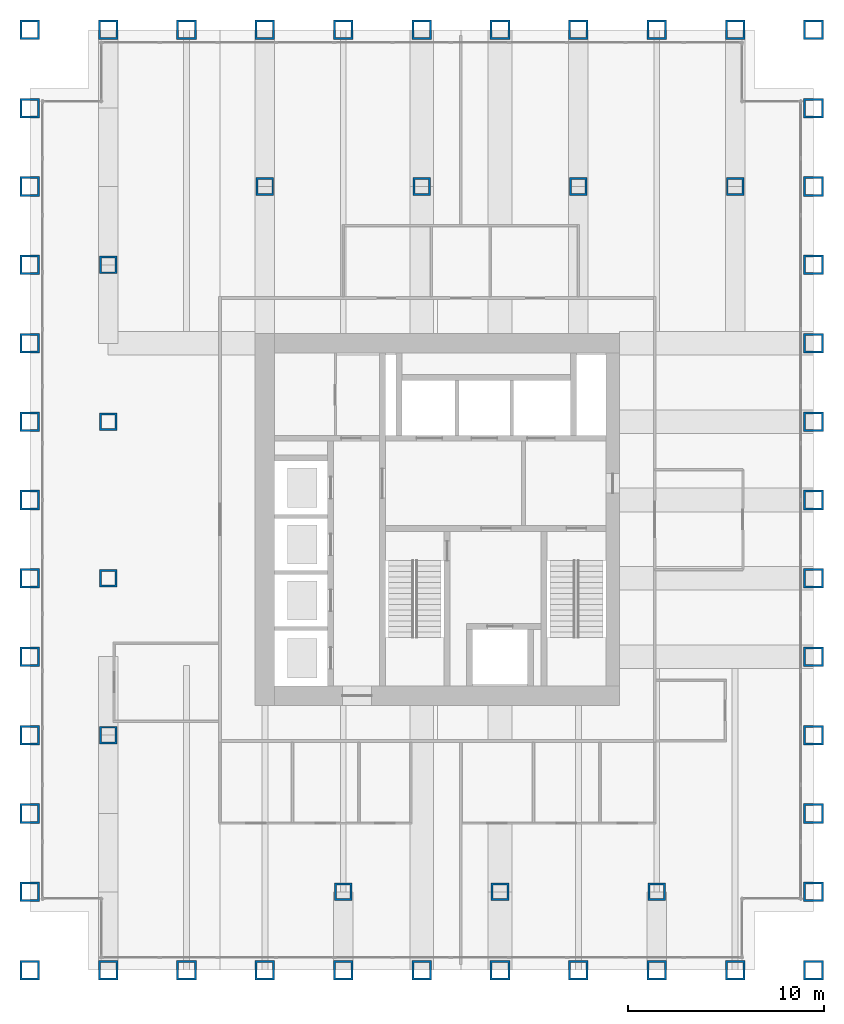
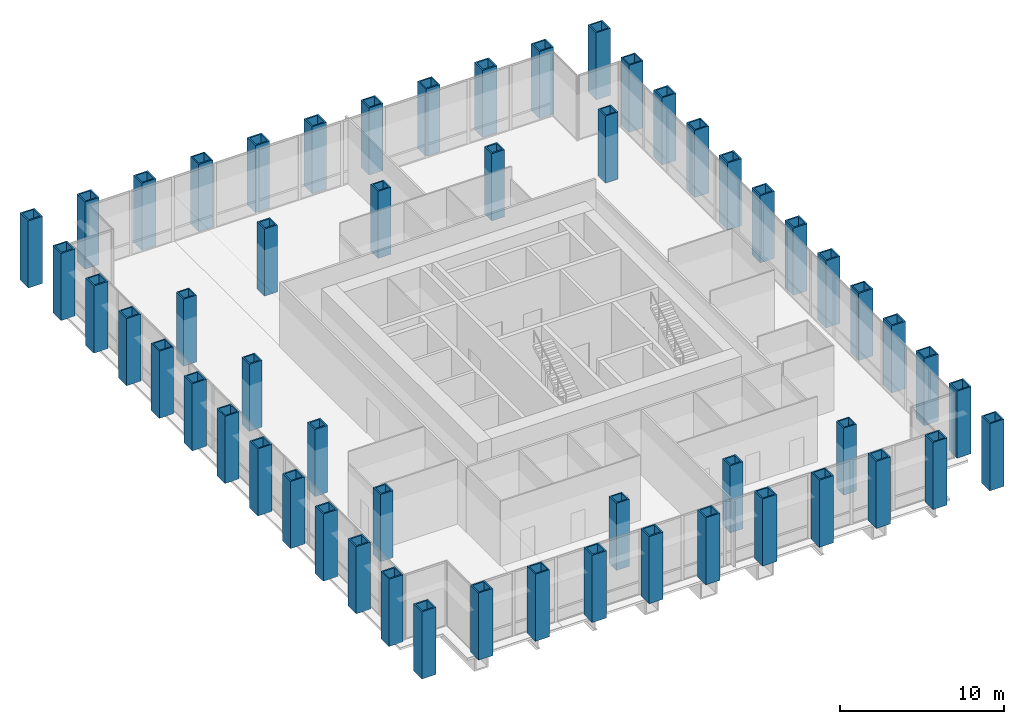
# One storey, part 1 of 13: 55 columns.
"""IFC4 building model written with IfcOpenShell, lengths in metres."""

import ifcopenshell
import ifcopenshell.guid

model = None  # the IFC model being written
_history = None  # IfcOwnerHistory: only IFC2X3 demands one
_inside = {}  # id of a spatial element -> (the spatial element, [elements in it])
_under = {}  # id of a project, library or spatial element -> (it, [spatial elements below it])
_declared = {}  # id of a project -> (the project, [libraries it declares])
_typed = {}  # id of a type object -> (the type object, [elements of that type])
_made_of = {}  # id of a material, layer set ... -> (it, [elements and type objects made of it])


def new_model(schema):
    """Start an empty IFC model of exactly this schema.

    Asked for "IFC4X3", IfcOpenShell would pick the latest addendum, in which some entities
    have other attributes; the version numbers below select the first issue.
    IFC2X3 requires an IfcOwnerHistory on every rooted entity: one is made here for all.
    """
    global model, _history
    if schema == "IFC4X3":
        model = ifcopenshell.file(schema_version=(4, 3, 0, 0))
    else:
        model = ifcopenshell.file(schema=schema)
    _inside.clear()
    _under.clear()
    _declared.clear()
    _typed.clear()
    _made_of.clear()
    _history = None
    if model.schema == "IFC2X3":
        org = make("IfcOrganization", Name="unknown")
        user = make(
            "IfcPersonAndOrganization",
            ThePerson=make("IfcPerson", FamilyName="unknown"),
            TheOrganization=org,
        )
        app = make(
            "IfcApplication",
            ApplicationDeveloper=org,
            Version="unknown",
            ApplicationFullName="unknown",
            ApplicationIdentifier="unknown",
        )
        _history = make(
            "IfcOwnerHistory",
            OwningUser=user,
            OwningApplication=app,
            ChangeAction="ADDED",
            CreationDate=0,
        )
    return model


def make(cls, **values):
    """One entity of the class cls with the attributes given. An attribute that is None is left unset."""
    return model.create_entity(
        cls, **{name: value for name, value in values.items() if value is not None}
    )


def rooted(cls, **values):
    """An entity with a GlobalId (a new one), such as an element, a storey or a relation."""
    return make(cls, GlobalId=ifcopenshell.guid.new(), OwnerHistory=_history, **values)


def si_unit(unit_type, name, prefix=None):
    """IfcSIUnit, for example si_unit("LENGTHUNIT", "METRE", prefix="MILLI")."""
    return make("IfcSIUnit", UnitType=unit_type, Prefix=prefix, Name=name)


def assignment(units):
    """IfcUnitAssignment: the units of a project."""
    return None if units is None else make("IfcUnitAssignment", Units=units)


def point(xyz):
    """IfcCartesianPoint."""
    return None if xyz is None else make("IfcCartesianPoint", Coordinates=xyz)


def direction(xyz):
    """IfcDirection."""
    return None if xyz is None else make("IfcDirection", DirectionRatios=xyz)


def frame(location, z_axis=None, x_axis=None):
    """IfcAxis2Placement3D, a coordinate frame: its origin and axes. An axis left out is left unset."""
    return make(
        "IfcAxis2Placement3D",
        Location=point(location),
        Axis=direction(z_axis),
        RefDirection=direction(x_axis),
    )


def frame_2d(location, x_axis=None):
    """IfcAxis2Placement2D, a coordinate frame in the plane: its origin and x axis."""
    return make(
        "IfcAxis2Placement2D", Location=point(location), RefDirection=direction(x_axis)
    )


def origin():
    """The frame at (0, 0, 0) with its axes left unset."""
    return frame((0.0, 0.0, 0.0))


def origin_2d():
    """The frame at (0, 0) in the plane with its x axis left unset."""
    return frame_2d((0.0, 0.0))


def place(relative_to, where):
    """IfcLocalPlacement: puts the frame where relative to a parent placement (None: the world)."""
    return make(
        "IfcLocalPlacement", PlacementRelTo=relative_to, RelativePlacement=where
    )


def context(
    kind, dimensions, precision=None, world=None, true_north=None, identifier=None
):
    """IfcGeometricRepresentationContext, for example the 3D "Model" context."""
    return make(
        "IfcGeometricRepresentationContext",
        ContextIdentifier=identifier,
        ContextType=kind,
        CoordinateSpaceDimension=dimensions,
        Precision=precision,
        WorldCoordinateSystem=world,
        TrueNorth=true_north,
    )


def subcontext(parent, identifier, kind, view, scale=None):
    """IfcGeometricRepresentationSubContext, for example "Body" below "Model"."""
    return make(
        "IfcGeometricRepresentationSubContext",
        ContextIdentifier=identifier,
        ContextType=kind,
        ParentContext=parent,
        TargetScale=scale,
        TargetView=view,
    )


def project(units=None, contexts=None):
    """IfcProject with its units and contexts."""
    return rooted(
        "IfcProject",
        Name="project",
        RepresentationContexts=contexts,
        UnitsInContext=assignment(units),
    )


def spatial(cls, under=None, at=None, **own):
    """A site, building, storey or space (cls), placed at a placement, below another one or the project."""
    s = rooted(cls, ObjectPlacement=at, **own)
    if under is not None:
        _under.setdefault(under.id(), (under, []))[1].append(s)
    return s


def profile(cls, at=None, kind="AREA", **sizes):
    """A parametric profile (cls). Its sizes go by their IFC names, for example OverallWidth=200.0."""
    return make(cls, ProfileType=kind, Position=at, **sizes)


def hollow_rectangle(**sizes):
    """IfcRectangleHollowProfileDef."""
    return profile("IfcRectangleHollowProfileDef", **sizes)


def extrude(swept, where, along, depth):
    """IfcExtrudedAreaSolid: the profile swept, set in the frame where, extruded along a direction by depth."""
    return make(
        "IfcExtrudedAreaSolid",
        SweptArea=swept,
        Position=where,
        ExtrudedDirection=direction(along),
        Depth=depth,
    )


def shape(context_of_items, identifier, shape_type, items):
    """IfcShapeRepresentation: the items that make up one representation, for example the "Body"."""
    return make(
        "IfcShapeRepresentation",
        ContextOfItems=context_of_items,
        RepresentationIdentifier=identifier,
        RepresentationType=shape_type,
        Items=items,
    )


def material(Name=None, Category=None):
    """IfcMaterial."""
    return make("IfcMaterial", Name=Name, Category=Category)


def material_profile(
    of_material, cross_section, Name=None, Category=None, Priority=None
):
    """IfcMaterialProfile: a cross section and its material."""
    return make(
        "IfcMaterialProfile",
        Name=Name,
        Material=of_material,
        Profile=cross_section,
        Priority=Priority,
        Category=Category,
    )


def profile_set(profiles, Name=None, composite=None):
    """IfcMaterialProfileSet."""
    return make(
        "IfcMaterialProfileSet",
        Name=Name,
        MaterialProfiles=profiles,
        CompositeProfile=composite,
    )


def made_of(thing, what):
    """Note that an element or type object is made of a material, layer set ...; save() writes the relation."""
    if what is not None:
        _made_of.setdefault(what.id(), (what, []))[1].append(thing)
    return thing


def type_object(cls, material=None, **own):
    """A type object (cls), such as IfcWallType, which elements share."""
    return made_of(rooted(cls, **own), material)


def element(
    cls,
    number,
    at=None,
    inside=None,
    cuts=None,
    type_object=None,
    material=None,
    context=None,
    identifier="Body",
    shape_type=None,
    held_by="IfcProductDefinitionShape",
    body=None,
    shapes=None,
    **own,
):
    """One element of the class cls, such as IfcWall. Its Tag is "e" and its number.

    at: its placement. inside: the storey or other place that contains it. cuts: it is an
    opening in that element (IfcRelVoidsElement). A single representation is given by context,
    identifier, shape_type and body (its items); several are given by shapes. held_by: the class
    of the entity that holds the representations. save() writes the other relations.
    """
    e = rooted(cls, Tag="e%d" % number, ObjectPlacement=at, **own)
    if body is not None:
        shapes = [shape(context, identifier, shape_type, body)]
    if shapes is not None:
        e.Representation = make(held_by, Representations=shapes)
    if inside is not None:
        _inside.setdefault(inside.id(), (inside, []))[1].append(e)
    if cuts is not None:
        rooted(
            "IfcRelVoidsElement", RelatingBuildingElement=cuts, RelatedOpeningElement=e
        )
    if type_object is not None:
        _typed.setdefault(type_object.id(), (type_object, []))[1].append(e)
    return made_of(e, material)


def aggregate(whole, parts):
    """IfcRelAggregates: a whole, such as a stair, and the parts it consists of."""
    return rooted("IfcRelAggregates", RelatingObject=whole, RelatedObjects=parts)


def save(model, path):
    """Write the relations noted so far, then the file.

    IfcRelAggregates (storeys below a building ...), IfcRelContainedInSpatialStructure (elements
    in a storey), IfcRelDefinesByType, IfcRelAssociatesMaterial and IfcRelDeclares: one each for
    every whole, place, type object, material and project.
    """
    for whole, parts in _under.values():
        aggregate(whole, parts)
    for where, things in _inside.values():
        rooted(
            "IfcRelContainedInSpatialStructure",
            RelatedElements=things,
            RelatingStructure=where,
        )
    for kind, things in _typed.values():
        rooted("IfcRelDefinesByType", RelatedObjects=things, RelatingType=kind)
    for what, things in _made_of.values():
        rooted("IfcRelAssociatesMaterial", RelatedObjects=things, RelatingMaterial=what)
    for by, libraries in _declared.values():
        rooted("IfcRelDeclares", RelatingContext=by, RelatedDefinitions=libraries)
    model.write(path)


model = new_model("IFC4")

# Units and contexts
model_context = context("Model", 3, precision=1e-05, world=origin(), true_north=direction((0.0, 1.0)))
body_context = subcontext(model_context, "Body", "Model", "MODEL_VIEW")
ifc_project = project(units=[si_unit("LENGTHUNIT", "METRE"), si_unit("AREAUNIT", "SQUARE_METRE"), si_unit("VOLUMEUNIT", "CUBIC_METRE"), si_unit("PLANEANGLEUNIT", "RADIAN"), si_unit("MASSUNIT", "GRAM", prefix="KILO")], contexts=[model_context])

# Site, building, storey
site_placement = place(None, origin())
site = spatial("IfcSite", under=ifc_project, at=site_placement, CompositionType="ELEMENT")
building_placement = place(site_placement, origin())
building = spatial("IfcBuilding", under=site, at=building_placement, Name="Rimbunsela Tower", CompositionType="ELEMENT")
storey_placement = place(building_placement, frame((0.0, 0.0, 142.800048828125)))
storey = spatial("IfcBuildingStorey", under=building, at=storey_placement, Name="L34", CompositionType="ELEMENT", Elevation=142.800048828125)

# Columns
ifc_material_1 = material(Name="Steel BJ 55 (fy 410 MPa)", Category="steel")
ifc_material_profile_1 = material_profile(ifc_material_1, hollow_rectangle(XDim=1.0, YDim=1.0, WallThickness=0.10009765625, at=origin_2d()), Name="BOX 1000x1000x100")
ifc_profile_set_1 = profile_set([ifc_material_profile_1], Name="Steel BJ 55 (fy 410 MPa)")
column_type_1 = type_object("IfcColumnType", Name="Column BOX 1000x1000x100", PredefinedType="COLUMN", material=ifc_profile_set_1)
for number, where, z_axis, x_axis, name in (
    (1, (6.0, 4.0, 0.0), (0.0, 0.0, 1.0), (1.0, 0.0, 0.0), "Column C1 4/C L34"),
    (2, (6.0, 8.0, 0.0), (0.0, 0.0, 1.0), (1.0, 0.0, 0.0), "Column C1 4/D L34"),
    (3, (6.0, 12.0, 0.0), (0.0, 0.0, 1.0), (1.0, 0.0, 0.0), "Column C1 4/E L34"),
    (4, (6.0, 16.0, 0.0), (0.0, 0.0, 1.0), (1.0, 0.0, 0.0), "Column C1 4/F L34"),
    (5, (6.0, 20.0, 0.0), (0.0, 0.0, 1.0), (1.0, 0.0, 0.0), "Column C1 4/G L34"),
    (6, (6.0, 24.0, 0.0), (0.0, 0.0, 1.0), (1.0, 0.0, 0.0), "Column C1 4/H L34"),
    (7, (6.0, 28.0, 0.0), (0.0, 0.0, 1.0), (1.0, 0.0, 0.0), "Column C1 4/J L34"),
    (8, (6.0, 32.0, 0.0), (0.0, 0.0, 1.0), (1.0, 0.0, 0.0), "Column C1 4/K L34"),
    (9, (6.0, 36.0, 0.0), (0.0, 0.0, 1.0), (1.0, 0.0, 0.0), "Column C1 4/L L34"),
    (10, (6.0, 40.0, 0.0), (0.0, 0.0, 1.0), (1.0, 0.0, 0.0), "Column C1 4/M L34"),
    (11, (6.0, 44.0, 0.0), (0.0, 0.0, 1.0), (1.0, 0.0, 0.0), "Column C1 4/N L34"),
    (12, (6.0, 48.0, 0.0), (0.0, 0.0, 1.0), (1.0, 0.0, 0.0), "Column C1 4/P L34"),
    (13, (6.0, 52.0, 0.0), (0.0, 0.0, 1.0), (1.0, 0.0, 0.0), "Column C1 4/Q L34"),
    (14, (10.0, 4.0, 0.0), (0.0, 0.0, 1.0), (1.0, 0.0, 0.0), "Column C1 5/C L34"),
    (15, (10.0, 52.0, 0.0), (0.0, 0.0, 1.0), (1.0, 0.0, 0.0), "Column C1 5/Q L34"),
    (16, (14.0, 4.0, 0.0), (0.0, 0.0, 1.0), (1.0, 0.0, 0.0), "Column C1 6/C L34"),
    (17, (14.0, 52.0, 0.0), (0.0, 0.0, 1.0), (1.0, 0.0, 0.0), "Column C1 6/Q L34"),
    (18, (18.0, 4.0, 0.0), (0.0, 0.0, 1.0), (1.0, 0.0, 0.0), "Column C1 7/C L34"),
    (19, (18.0, 52.0, 0.0), (0.0, 0.0, 1.0), (1.0, 0.0, 0.0), "Column C1 7/Q L34"),
    (20, (22.0, 4.0, 0.0), (0.0, 0.0, 1.0), (1.0, 0.0, 0.0), "Column C1 8/C L34"),
    (21, (22.0, 52.0, 0.0), (0.0, 0.0, 1.0), (1.0, 0.0, 0.0), "Column C1 8/Q L34"),
    (22, (26.0, 4.0, 0.0), (0.0, 0.0, 1.0), (1.0, 0.0, 0.0), "Column C1 9/C L34"),
    (23, (26.0, 52.0, 0.0), (0.0, 0.0, 1.0), (1.0, 0.0, 0.0), "Column C1 9/Q L34"),
    (24, (30.0, 4.0, 0.0), (0.0, 0.0, 1.0), (1.0, 0.0, 0.0), "Column C1 10/C L34"),
    (25, (30.0, 52.0, 0.0), (0.0, 0.0, 1.0), (1.0, 0.0, 0.0), "Column C1 10/Q L34"),
    (26, (34.0, 4.0, 0.0), (0.0, 0.0, 1.0), (1.0, 0.0, 0.0), "Column C1 11/C L34"),
    (27, (34.0, 52.0, 0.0), (0.0, 0.0, 1.0), (1.0, 0.0, 0.0), "Column C1 11/Q L34"),
    (28, (38.0, 4.0, 0.0), (0.0, 0.0, 1.0), (1.0, 0.0, 0.0), "Column C1 12/C L34"),
    (29, (38.0, 52.0, 0.0), (0.0, 0.0, 1.0), (1.0, 0.0, 0.0), "Column C1 12/Q L34"),
    (30, (42.0, 4.0, 0.0), (0.0, 0.0, 1.0), (1.0, 0.0, 0.0), "Column C1 13/C L34"),
    (31, (42.0, 52.0, 0.0), (0.0, 0.0, 1.0), (1.0, 0.0, 0.0), "Column C1 13/Q L34"),
    (32, (46.0, 4.0, 0.0), (0.0, 0.0, 1.0), (1.0, 0.0, 0.0), "Column C1 14/C L34"),
    (33, (46.0, 8.0, 0.0), (0.0, 0.0, 1.0), (1.0, 0.0, 0.0), "Column C1 14/D L34"),
    (34, (46.0, 12.0, 0.0), (0.0, 0.0, 1.0), (1.0, 0.0, 0.0), "Column C1 14/E L34"),
    (35, (46.0, 16.0, 0.0), (0.0, 0.0, 1.0), (1.0, 0.0, 0.0), "Column C1 14/F L34"),
    (36, (46.0, 20.0, 0.0), (0.0, 0.0, 1.0), (1.0, 0.0, 0.0), "Column C1 14/G L34"),
    (37, (46.0, 24.0, 0.0), (0.0, 0.0, 1.0), (1.0, 0.0, 0.0), "Column C1 14/H L34"),
    (38, (46.0, 28.0, 0.0), (0.0, 0.0, 1.0), (1.0, 0.0, 0.0), "Column C1 14/J L34"),
    (39, (46.0, 32.0, 0.0), (0.0, 0.0, 1.0), (1.0, 0.0, 0.0), "Column C1 14/K L34"),
    (40, (46.0, 36.0, 0.0), (0.0, 0.0, 1.0), (1.0, 0.0, 0.0), "Column C1 14/L L34"),
    (41, (46.0, 40.0, 0.0), (0.0, 0.0, 1.0), (1.0, 0.0, 0.0), "Column C1 14/M L34"),
    (42, (46.0, 44.0, 0.0), (0.0, 0.0, 1.0), (1.0, 0.0, 0.0), "Column C1 14/N L34"),
    (43, (46.0, 48.0, 0.0), (0.0, 0.0, 1.0), (1.0, 0.0, 0.0), "Column C1 14/P L34"),
    (44, (46.0, 52.0, 0.0), (0.0, 0.0, 1.0), (1.0, 0.0, 0.0), "Column C1 14/Q L34"),
):
    element("IfcColumn", number, at=place(storey_placement, frame(where, z_axis=z_axis, x_axis=x_axis)), inside=storey, type_object=column_type_1, Name=name, PredefinedType="COLUMN", context=body_context, shape_type="SweptSolid", body=[
        extrude(hollow_rectangle(XDim=1.0, YDim=1.0, WallThickness=0.10009765625, at=origin_2d()), origin(), (0.0, 0.0, 1.0), 5.0),
    ])
ifc_material_2 = material(Name="Steel BJ 55 (fy 410 MPa)", Category="steel")
ifc_material_profile_2 = material_profile(ifc_material_2, hollow_rectangle(XDim=0.89990234375, YDim=0.89990234375, WallThickness=0.10009765625, at=origin_2d()), Name="BOX 900x900x100")
ifc_profile_set_2 = profile_set([ifc_material_profile_2], Name="Steel BJ 55 (fy 410 MPa)")
column_type_2 = type_object("IfcColumnType", Name="Column BOX 900x900x100", PredefinedType="COLUMN", material=ifc_profile_set_2)
for number, where, z_axis, x_axis, name in (
    (45, (10.0, 16.0, 0.0), (0.0, 0.0, 1.0), (1.0, 0.0, 0.0), "Column C5 5/F L34"),
    (46, (10.0, 24.0, 0.0), (0.0, 0.0, 1.0), (1.0, 0.0, 0.0), "Column C5 5/H L34"),
    (47, (10.0, 32.0, 0.0), (0.0, 0.0, 1.0), (1.0, 0.0, 0.0), "Column C5 5/K L34"),
    (48, (10.0, 40.0, 0.0), (0.0, 0.0, 1.0), (1.0, 0.0, 0.0), "Column C5 5/M L34"),
    (49, (18.0, 44.0, 0.0), (0.0, 0.0, 1.0), (1.0, 0.0, 0.0), "Column C5 7/N L34"),
    (50, (22.0, 8.0, 0.0), (0.0, 0.0, 1.0), (1.0, 0.0, 0.0), "Column C5 8/D L34"),
    (51, (26.0, 44.0, 0.0), (0.0, 0.0, 1.0), (1.0, 0.0, 0.0), "Column C5 9/N L34"),
    (52, (30.0, 8.0, 0.0), (0.0, 0.0, 1.0), (1.0, 0.0, 0.0), "Column C5 10/D L34"),
    (53, (34.0, 44.0, 0.0), (0.0, 0.0, 1.0), (1.0, 0.0, 0.0), "Column C5 11/N L34"),
    (54, (38.0, 8.0, 0.0), (0.0, 0.0, 1.0), (1.0, 0.0, 0.0), "Column C5 12/D L34"),
    (55, (42.0, 44.0, 0.0), (0.0, 0.0, 1.0), (1.0, 0.0, 0.0), "Column C5 13/N L34"),
):
    element("IfcColumn", number, at=place(storey_placement, frame(where, z_axis=z_axis, x_axis=x_axis)), inside=storey, type_object=column_type_2, Name=name, PredefinedType="COLUMN", context=body_context, shape_type="SweptSolid", body=[
        extrude(hollow_rectangle(XDim=0.89990234375, YDim=0.89990234375, WallThickness=0.10009765625, at=origin_2d()), origin(), (0.0, 0.0, 1.0), 5.0),
    ])

save(model, "model.ifc")
